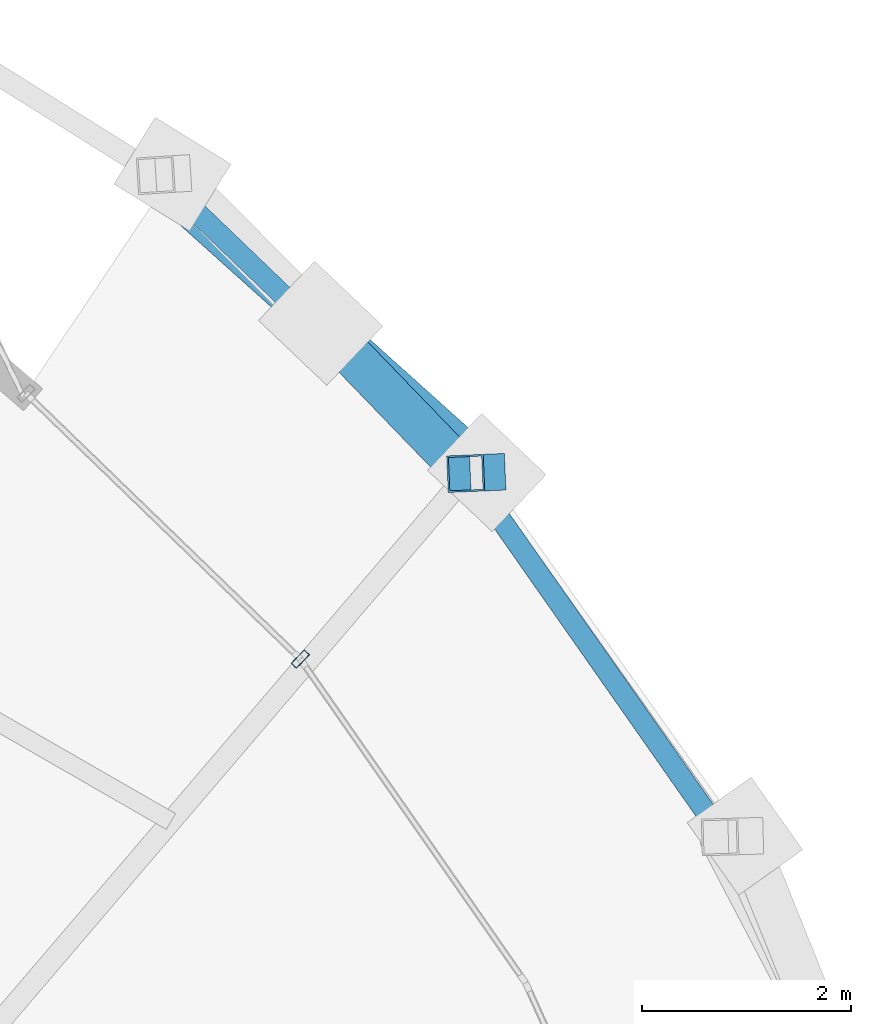
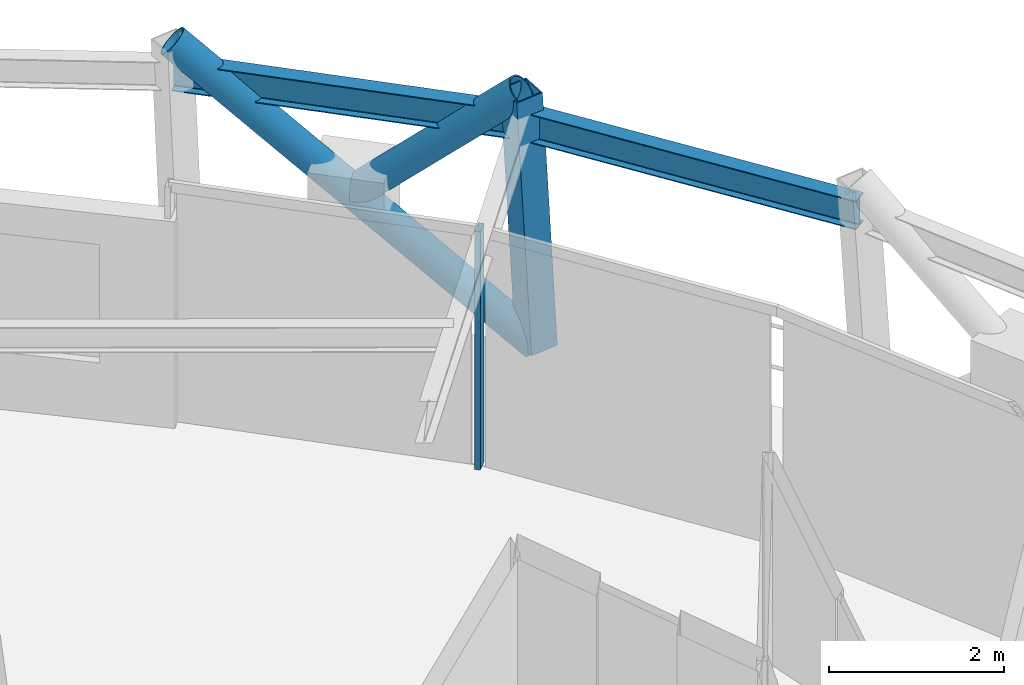
# One storey, part 9 of 15: 4 members, 2 beams, 1 element without a shape of its own.
"""IFC4 building model written with IfcOpenShell, lengths in metres."""

from ifc_helpers import new_model, si_unit, direction, frame, origin, origin_2d, place, context, subcontext, project, spatial, hollow_rectangle, hollow_circle, i_section, extrude, material, layer, layer_set, material_profile, profile_set, type_object, element, aggregate, save


model = new_model("IFC4")

# Units and contexts
model_context = context("Model", 3, precision=1e-05, world=origin(), true_north=direction((0.0, 1.0)))
body_context = subcontext(model_context, "Body", "Model", "MODEL_VIEW")
ifc_project = project(units=[si_unit("LENGTHUNIT", "METRE"), si_unit("AREAUNIT", "SQUARE_METRE"), si_unit("VOLUMEUNIT", "CUBIC_METRE"), si_unit("PLANEANGLEUNIT", "RADIAN"), si_unit("MASSUNIT", "GRAM", prefix="KILO")], contexts=[model_context])

# Site, building, storey
site_placement = place(None, origin())
site = spatial("IfcSite", under=ifc_project, at=site_placement, CompositionType="ELEMENT")
building_placement = place(site_placement, origin())
building = spatial("IfcBuilding", under=site, at=building_placement, Name="Veldorina Hangang Commons", CompositionType="ELEMENT")
storey_placement = place(building_placement, frame((0.0, 0.0, 290.39990234375)))
storey = spatial("IfcBuildingStorey", under=building, at=storey_placement, Name="L76", CompositionType="ELEMENT", Elevation=290.39990234375)

# Beams
ifc_material_1 = material(Name="Steel SM355-TMC", Category="steel")
ifc_material_profile_1 = material_profile(ifc_material_1, i_section(OverallWidth=0.199951171875, OverallDepth=0.39990234375, WebThickness=0.008056640625, FlangeThickness=0.012939453125, FilletRadius=0.012939453125, at=origin_2d()), Name="H-400x200x8x13")
ifc_profile_set_1 = profile_set([ifc_material_profile_1], Name="Steel SM355-TMC")
beam_type = type_object("IfcBeamType", Name="BM-RB400", PredefinedType="BEAM", material=ifc_profile_set_1)
beam_1_placement = place(storey_placement, frame((48.272705078125, 36.72998046875, 3.16015625), z_axis=(-0.57399930825, 0.818855783474, 0.0), x_axis=(-0.818855783474, -0.57399930825, 0.0)))
element("IfcBeam", 1, at=beam_1_placement, inside=storey, type_object=beam_type, Name="L76 perimeter hoop ring beam 03", PredefinedType="BEAM", context=body_context, shape_type="SweptSolid", body=[
    extrude(i_section(OverallWidth=0.199951171875, OverallDepth=0.39990234375, WebThickness=0.008056640625, FlangeThickness=0.012939453125, FilletRadius=0.012939453125, at=origin_2d()), origin(), (0.0, 0.0, 1.0), 4.240478515625),
])
beam_2_placement = place(storey_placement, frame((45.838623046875, 40.202392578125, 3.16015625), z_axis=(-0.721064584857, 0.692867854981, 0.0), x_axis=(-0.692867854981, -0.721064584857, 0.0)))
element("IfcBeam", 2, at=beam_2_placement, inside=storey, type_object=beam_type, Name="L76 perimeter hoop ring beam 04", PredefinedType="BEAM", context=body_context, shape_type="SweptSolid", body=[
    extrude(i_section(OverallWidth=0.199951171875, OverallDepth=0.39990234375, WebThickness=0.008056640625, FlangeThickness=0.012939453125, FilletRadius=0.012939453125, at=origin_2d()), origin(), (0.0, 0.0, 1.0), 4.11279296875),
])

# Curtain wall, member
ifc_material_2 = material(Name="Glass Low-E Selective", Category="glass")
ifc_layer = layer(ifc_material_2, 0.179931640625)
ifc_layer_set = layer_set([ifc_layer], Name="Glass Low-E Selective")
curtain_wall_type = type_object("IfcCurtainWallType", Name="CW-SYS-Z3", PredefinedType="NOTDEFINED", material=ifc_layer_set)
curtain_wall_placement = place(storey_placement, origin())
curtain_wall = element("IfcCurtainWall", 3, at=curtain_wall_placement, inside=storey, type_object=curtain_wall_type, Name="L76 unitised curtain wall CW-L76-R1", PredefinedType="NOTDEFINED")
ifc_material_3 = material(Name="Aluminium Anodized AA6063-T6", Category="aluminium")
ifc_material_profile_2 = material_profile(ifc_material_3, hollow_rectangle(XDim=0.070068359375, YDim=0.179931640625, WallThickness=0.00390625, at=origin_2d()), Name="ALU-RHS-180x70x4")
ifc_profile_set_2 = profile_set([ifc_material_profile_2], Name="Aluminium Anodized AA6063-T6")
member_type_1 = type_object("IfcMemberType", Name="CW-MUL-180", PredefinedType="MULLION", material=ifc_profile_set_2)
member_1_placement = place(storey_placement, frame((44.23388671875, 38.427978515625, 0.0), z_axis=(0.0, 0.0, 1.0), x_axis=(-0.718551272686, 0.695473988386, 0.0)))
member_1 = element("IfcMember", 4, at=member_1_placement, type_object=member_type_1, Name="CW-L76-R1 vertical mullion 3", PredefinedType="MULLION", context=body_context, shape_type="SweptSolid", body=[
    extrude(hollow_rectangle(XDim=0.070068359375, YDim=0.179931640625, WallThickness=0.00390625, at=origin_2d()), origin(), (0.0, 0.0, 1.0), 3.320068359375),
])
aggregate(curtain_wall, [member_1])

# Members
ifc_material_profile_3 = material_profile(ifc_material_1, hollow_circle(Radius=0.199951171875, WallThickness=0.02001953125, at=origin_2d()), Name="CHS-400x20")
ifc_profile_set_3 = profile_set([ifc_material_profile_3], Name="Steel SM355-TMC")
member_type_2 = type_object("IfcMemberType", Name="DG-CHS400", PredefinedType="BRACE", material=ifc_profile_set_3)
member_2_placement = place(storey_placement, frame((46.015869140625, 40.2099609375, 0.0), z_axis=(-0.567687631767, 0.509967828553, 0.646268958391), x_axis=(-0.668275898146, -0.743913519138, 0.0)))
element("IfcMember", 5, at=member_2_placement, inside=storey, type_object=member_type_2, Name="L76 continuous perimeter diagrid brace 04", PredefinedType="BRACE", context=body_context, shape_type="SweptSolid", body=[
    extrude(hollow_circle(Radius=0.199951171875, WallThickness=0.02001953125, at=origin_2d()), origin(), (0.0, 0.0, 1.0), 5.570556640625),
])
member_3_placement = place(storey_placement, frame((44.428466796875, 41.635986328125, 1.80712890625), z_axis=(0.516619746117, -0.534917643733, 0.668556020349), x_axis=(0.719302317107, 0.694697183387, 0.0)))
element("IfcMember", 6, at=member_3_placement, inside=storey, type_object=member_type_2, Name="L76 split perimeter diagrid upper brace 05", PredefinedType="BRACE", context=body_context, shape_type="SweptSolid", body=[
    extrude(hollow_circle(Radius=0.199951171875, WallThickness=0.02001953125, at=origin_2d()), origin(), (0.0, 0.0, 1.0), 2.681884765625),
])
ifc_material_profile_4 = material_profile(ifc_material_1, hollow_rectangle(XDim=0.35009765625, YDim=0.35009765625, WallThickness=0.01611328125, at=origin_2d()), Name="SHS-350x350x16")
ifc_profile_set_4 = profile_set([ifc_material_profile_4], Name="Steel SM355-TMC")
member_type_3 = type_object("IfcMemberType", Name="STR-SHS350", PredefinedType="STRUT", material=ifc_profile_set_4)
member_4_placement = place(storey_placement, frame((46.015869140625, 40.2099609375, 0.0), z_axis=(-0.055994856807, -0.002369794424, 0.998428244836), x_axis=(0.042283793731, -0.999105640454, 0.0)))
element("IfcMember", 7, at=member_4_placement, inside=storey, type_object=member_type_3, Name="L76 perimeter ring node post 04", PredefinedType="STRUT", context=body_context, shape_type="SweptSolid", body=[
    extrude(hollow_rectangle(XDim=0.35009765625, YDim=0.35009765625, WallThickness=0.01611328125, at=origin_2d()), origin(), (0.0, 0.0, 1.0), 3.605712890625),
])

save(model, "model.ifc")
